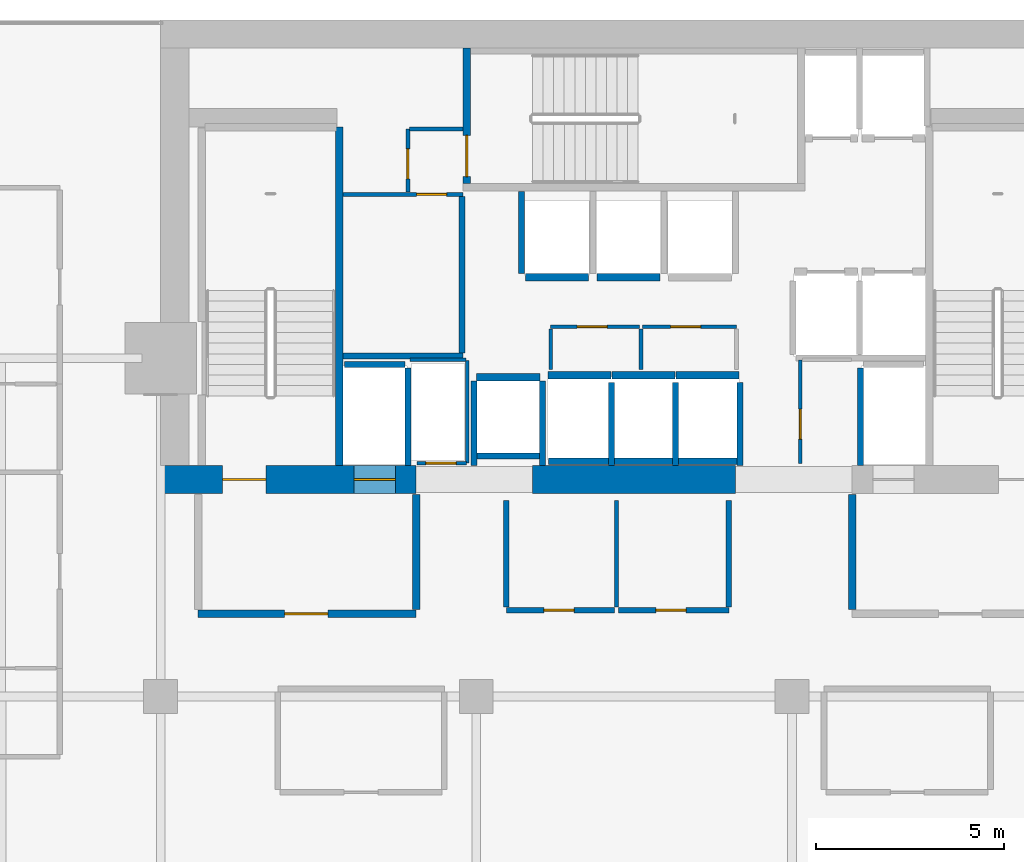
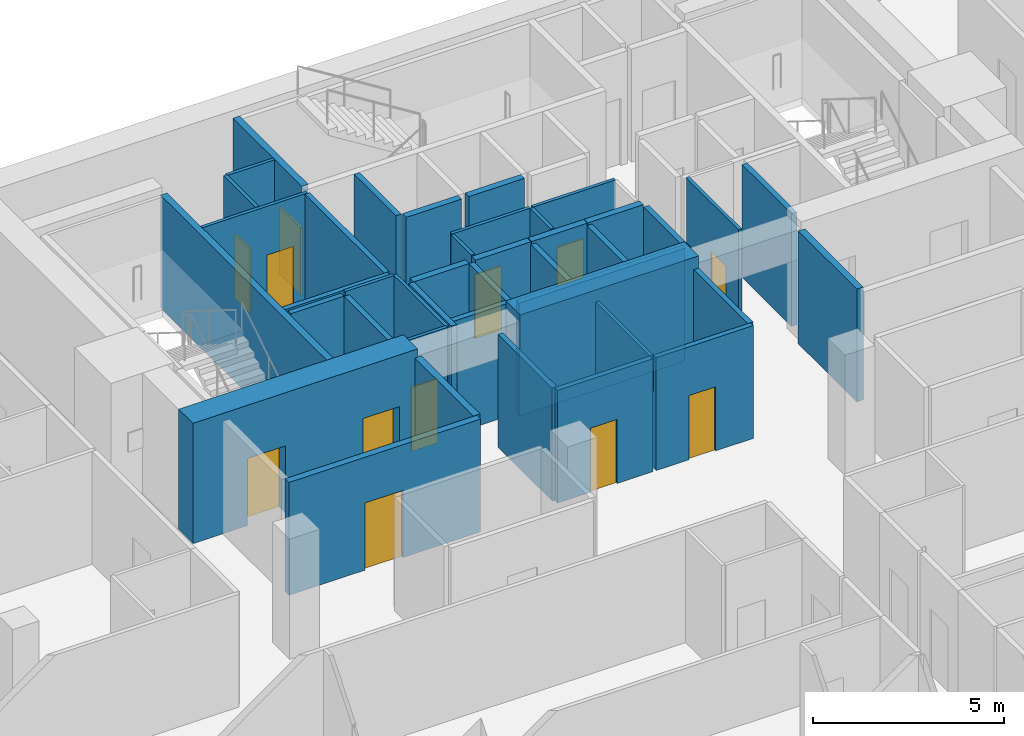
# One storey, part 30 of 34: 42 walls, 12 doors, 12 openings.
"""IFC4 building model written with IfcOpenShell, lengths in metres."""

from ifc_helpers import new_model, si_unit, direction, frame, frame_2d, origin, place, context, subcontext, project, spatial, rectangle, extrude, material, layer, layer_set, type_object, element, fill, save


model = new_model("IFC4")

# Units and contexts
model_context = context("Model", 3, precision=1e-05, world=origin(), true_north=direction((0.0, 1.0)))
body_context = subcontext(model_context, "Body", "Model", "MODEL_VIEW")
ifc_project = project(units=[si_unit("LENGTHUNIT", "METRE"), si_unit("AREAUNIT", "SQUARE_METRE"), si_unit("VOLUMEUNIT", "CUBIC_METRE"), si_unit("PLANEANGLEUNIT", "RADIAN"), si_unit("MASSUNIT", "GRAM", prefix="KILO")], contexts=[model_context])

# Site, building, storey
site_placement = place(None, origin())
site = spatial("IfcSite", under=ifc_project, at=site_placement, CompositionType="ELEMENT")
building_placement = place(site_placement, origin())
building = spatial("IfcBuilding", under=site, at=building_placement, Name="Maruvema Waterfront Hotel and Observation Tower", CompositionType="ELEMENT")
storey_placement = place(building_placement, frame((0.0, 0.0, 135.10009765625)))
storey = spatial("IfcBuildingStorey", under=building, at=storey_placement, Name="L32", CompositionType="ELEMENT", Elevation=135.10009765625)

# Walls
ifc_material_1 = material(Name="Twin-stud acoustic gypsum drywall", Category="gypsum")
ifc_layer_1 = layer(ifc_material_1, 0.14990234375, Name="Acoustic Corridor and Suite Demising Wall 150 mm")
ifc_layer_set_1 = layer_set([ifc_layer_1], Name="Twin-stud acoustic gypsum drywall")
wall_type_1 = type_object("IfcWallType", Name="Acoustic Corridor and Suite Demising Wall 150 mm", PredefinedType="PARTITIONING", material=ifc_layer_set_1)
wall_1_placement = place(storey_placement, frame((30.06005859375, 45.06005859375, 0.0), z_axis=(0.0, 0.0, 1.0), x_axis=(1.0, 0.0, 0.0)))
element("IfcWall", 1, at=wall_1_placement, inside=storey, type_object=wall_type_1, Name="L32 Freed B1 South Wall 017", PredefinedType="PARTITIONING", context=body_context, shape_type="SweptSolid", body=[
    extrude(rectangle(XDim=3.179931640625, YDim=0.14990234375, at=frame_2d((1.58984375, 0.0))), origin(), (0.0, 0.0, 1.0), 3.60986328125),
])
wall_2_placement = place(storey_placement, frame((33.219970703125, 45.139892578125, 0.0), z_axis=(0.0, 0.0, 1.0), x_axis=(0.0, 1.0, 0.0)))
element("IfcWall", 2, at=wall_2_placement, inside=storey, type_object=wall_type_1, Name="L32 Freed B1 East Wall 018", PredefinedType="PARTITIONING", context=body_context, shape_type="SweptSolid", body=[
    extrude(rectangle(XDim=4.16015625, YDim=0.14990234375, at=frame_2d((2.080078125, 0.0))), origin(), (0.0, 0.0, 1.0), 3.60986328125),
])

# Wall, opening, door
wall_3_placement = place(storey_placement, frame((34.39990234375, 38.300048828125, 0.0), z_axis=(0.0, 0.0, 1.0), x_axis=(1.0, 0.0, 0.0)))
wall_3 = element("IfcWall", 3, at=wall_3_placement, inside=storey, type_object=wall_type_1, Name="L32 Core Apron K2A South 022", PredefinedType="PARTITIONING", context=body_context, shape_type="SweptSolid", body=[
    extrude(rectangle(XDim=2.880126953125, YDim=0.14990234375, at=frame_2d((1.43994140625, 0.0))), origin(), (0.0, 0.0, 1.0), 3.60986328125),
])
opening_1_placement = place(wall_3_placement, frame((1.0, 0.0, 0.0)))
opening_1 = element("IfcOpeningElement", 4, at=opening_1_placement, cuts=wall_3, Name="Opening DR-080", PredefinedType="OPENING", context=body_context, shape_type="SweptSolid", body=[
    extrude(rectangle(XDim=0.800048828125, YDim=2.050048828125, at=frame_2d((0.39990234375, 1.02490234375))), frame((0.0, 0.0849609375, 0.0), z_axis=(0.0, -1.0, 0.0), x_axis=(1.0, 0.0, 0.0)), (0.0, 0.0, 1.0), 0.169921875),
])
ifc_material_2 = material(Name="Powder-coated steel access leaf", Category="steel")
door_type_1 = type_object("IfcDoorType", Name="Riser and Service Cupboard Door 800x2050 mm", OperationType="NOTDEFINED", PredefinedType="DOOR", material=ifc_material_2)
door_1_placement = place(opening_1_placement, frame((0.800048828125, 0.0, 0.0), z_axis=(0.0, 0.0, 1.0), x_axis=(-1.0, 0.0, 0.0)))
door_1 = element("IfcDoor", 5, at=door_1_placement, inside=storey, type_object=door_type_1, Name="L32 Core Ice Alcove Door", OperationType="SINGLE_SWING_LEFT", OverallHeight=2.050048828125, OverallWidth=0.800048828125, PredefinedType="DOOR", context=body_context, shape_type="SweptSolid", body=[
    extrude(rectangle(XDim=0.800048828125, YDim=2.050048828125, at=frame_2d((0.39990234375, 1.02490234375))), frame((0.0, 0.02490234375, 0.0), z_axis=(0.0, -1.0, 0.0), x_axis=(1.0, 0.0, 0.0)), (0.0, 0.0, 1.0), 0.050048828125),
])
fill(opening_1, door_1)

wall_4_placement = place(storey_placement, frame((37.3798828125, 38.300048828125, 0.0), z_axis=(0.0, 0.0, 1.0), x_axis=(1.0, 0.0, 0.0)))
wall_4 = element("IfcWall", 6, at=wall_4_placement, inside=storey, type_object=wall_type_1, Name="L32 Core Apron K2B South 023", PredefinedType="PARTITIONING", context=body_context, shape_type="SweptSolid", body=[
    extrude(rectangle(XDim=2.940185546875, YDim=0.14990234375, at=frame_2d((1.47021484375, 0.0))), origin(), (0.0, 0.0, 1.0), 3.60986328125),
])
opening_2_placement = place(wall_4_placement, frame((1.0, 0.0, 0.0)))
opening_2 = element("IfcOpeningElement", 7, at=opening_2_placement, cuts=wall_4, Name="Opening DR-080", PredefinedType="OPENING", context=body_context, shape_type="SweptSolid", body=[
    extrude(rectangle(XDim=0.800048828125, YDim=2.050048828125, at=frame_2d((0.39990234375, 1.02490234375))), frame((0.0, 0.0849609375, 0.0), z_axis=(0.0, -1.0, 0.0), x_axis=(1.0, 0.0, 0.0)), (0.0, 0.0, 1.0), 0.169921875),
])
door_2_placement = place(opening_2_placement, frame((0.800048828125, 0.0, 0.0), z_axis=(0.0, 0.0, 1.0), x_axis=(-1.0, 0.0, 0.0)))
door_2 = element("IfcDoor", 8, at=door_2_placement, inside=storey, type_object=door_type_1, Name="L32 Core Valet Closet Door", OperationType="SINGLE_SWING_RIGHT", OverallHeight=2.050048828125, OverallWidth=0.800048828125, PredefinedType="DOOR", context=body_context, shape_type="SweptSolid", body=[
    extrude(rectangle(XDim=0.800048828125, YDim=2.050048828125, at=frame_2d((0.39990234375, 1.02490234375))), frame((0.0, 0.02490234375, 0.0), z_axis=(0.0, -1.0, 0.0), x_axis=(1.0, 0.0, 0.0)), (0.0, 0.0, 1.0), 0.050048828125),
])
fill(opening_2, door_2)

# Walls
for number, where, z_axis, x_axis, name in (
    (9, (34.39990234375, 38.3798828125, 0.0), (0.0, 0.0, 1.0), (0.0, 1.0, 0.0), "L32 Core Apron K2 West 024"),
    (10, (40.320068359375, 38.3798828125, 0.0), (0.0, 0.0, 1.0), (0.0, 1.0, 0.0), "L32 Core Apron K2 East 026"),
):
    element("IfcWall", number, at=place(storey_placement, frame(where, z_axis=z_axis, x_axis=x_axis)), inside=storey, type_object=wall_type_1, Name=name, PredefinedType="PARTITIONING", context=body_context, shape_type="SweptSolid", body=[
        extrude(rectangle(XDim=2.840087890625, YDim=0.14990234375, at=frame_2d((1.419921875, 0.0))), origin(), (0.0, 0.0, 1.0), 3.60986328125),
    ])
ifc_material_3 = material(Name="Precast concrete C45/55", Category="concrete")
ifc_layer_2 = layer(ifc_material_3, 0.199951171875, Name="Core Shaft and Stairwell Enclosure Wall 200 mm")
ifc_layer_set_2 = layer_set([ifc_layer_2], Name="Precast concrete C45/55")
wall_type_2 = type_object("IfcWallType", Name="Core Shaft and Stairwell Enclosure Wall 200 mm", PredefinedType="SOLIDWALL", material=ifc_layer_set_2)
wall_5_placement = place(storey_placement, frame((29.949951171875, 42.14990234375, 0.0), z_axis=(0.0, 0.0, 1.0), x_axis=(0.0, 1.0, 0.0)))
element("IfcWall", 11, at=wall_5_placement, inside=storey, type_object=wall_type_2, Name="L32 Stairwell ST-01 East Shaft Wall", PredefinedType="SOLIDWALL", context=body_context, shape_type="SweptSolid", body=[
    extrude(rectangle(XDim=9.0, YDim=0.199951171875, at=frame_2d((4.5, 0.0))), origin(), (0.0, 0.0, 1.0), 3.60986328125),
])

# Wall, opening, door
wall_6_placement = place(storey_placement, frame((33.35009765625, 49.64990234375, 0.0), z_axis=(0.0, 0.0, 1.0), x_axis=(0.0, 1.0, 0.0)))
wall_6 = element("IfcWall", 12, at=wall_6_placement, inside=storey, type_object=wall_type_2, Name="L32 Stairwell ST-02 Shaft Wall", PredefinedType="SOLIDWALL", context=body_context, shape_type="SweptSolid", body=[
    extrude(rectangle(XDim=3.60009765625, YDim=0.199951171875, at=frame_2d((1.800048828125, 0.0))), origin(), (0.0, 0.0, 1.0), 3.60986328125),
])
opening_3_placement = place(wall_6_placement, frame((0.179931640625, 0.0, 0.0)))
opening_3 = element("IfcOpeningElement", 13, at=opening_3_placement, cuts=wall_6, Name="Opening SD-02", PredefinedType="OPENING", context=body_context, shape_type="SweptSolid", body=[
    extrude(rectangle(XDim=1.10009765625, YDim=2.14990234375, at=frame_2d((0.550048828125, 1.074951171875))), frame((0.0, 0.10986328125, 0.0), z_axis=(0.0, -1.0, 0.0), x_axis=(1.0, 0.0, 0.0)), (0.0, 0.0, 1.0), 0.219970703125),
])
ifc_material_4 = material(Name="Fire-rated galvanised steel leaf", Category="steel")
door_type_2 = type_object("IfcDoorType", Name="Central Exit Stair Fire Door 1100x2150 mm", OperationType="NOTDEFINED", PredefinedType="DOOR", material=ifc_material_4)
door_3_placement = place(opening_3_placement, frame((1.10009765625, 0.0, 0.0), z_axis=(0.0, 0.0, 1.0), x_axis=(-1.0, 0.0, 0.0)))
door_3 = element("IfcDoor", 14, at=door_3_placement, inside=storey, type_object=door_type_2, Name="L32 Exit Stair ST-02 Fire Door", OperationType="SINGLE_SWING_LEFT", OverallHeight=2.14990234375, OverallWidth=1.10009765625, PredefinedType="DOOR", context=body_context, shape_type="SweptSolid", body=[
    extrude(rectangle(XDim=1.10009765625, YDim=2.14990234375, at=frame_2d((0.550048828125, 1.074951171875))), frame((0.0, 0.02490234375, 0.0), z_axis=(0.0, -1.0, 0.0), x_axis=(1.0, 0.0, 0.0)), (0.0, 0.0, 1.0), 0.050048828125),
])
fill(opening_3, door_3)

# Walls
for number, where, z_axis, x_axis, name in (
    (15, (35.510009765625, 44.550048828125, 0.0), (0.0, 0.0, 1.0), (1.0, 0.0, 0.0), "L32 Lift LF-09 Hoistway Front Wall"),
    (16, (37.2099609375, 44.550048828125, 0.0), (0.0, 0.0, 1.0), (1.0, 0.0, 0.0), "L32 Lift LF-10 Hoistway Front Wall"),
):
    element("IfcWall", number, at=place(storey_placement, frame(where, z_axis=z_axis, x_axis=x_axis)), inside=storey, type_object=wall_type_2, Name=name, PredefinedType="SOLIDWALL", context=body_context, shape_type="SweptSolid", body=[
        extrude(rectangle(XDim=1.679931640625, YDim=0.199951171875, at=frame_2d((0.83984375, 0.0))), origin(), (0.0, 0.0, 1.0), 3.60986328125),
    ])
for number, where, z_axis, x_axis, name in (
    (17, (38.909912109375, 44.550048828125, 0.0), (0.0, 0.0, 1.0), (1.0, 0.0, 0.0), "L32 Lift LF-11 Hoistway Front Wall"),
    (18, (34.909912109375, 47.14990234375, 0.0), (0.0, 0.0, 1.0), (1.0, 0.0, 0.0), "L32 Lift LF-12 Hoistway Front Wall"),
):
    element("IfcWall", number, at=place(storey_placement, frame(where, z_axis=z_axis, x_axis=x_axis)), inside=storey, type_object=wall_type_2, Name=name, PredefinedType="SOLIDWALL", context=body_context, shape_type="SweptSolid", body=[
        extrude(rectangle(XDim=1.68017578125, YDim=0.199951171875, at=frame_2d((0.840087890625, 0.0))), origin(), (0.0, 0.0, 1.0), 3.60986328125),
    ])
for number, where, z_axis, x_axis, name in (
    (19, (36.81005859375, 47.14990234375, 0.0), (0.0, 0.0, 1.0), (1.0, 0.0, 0.0), "L32 Lift LF-13 Hoistway Front Wall"),
    (20, (33.610107421875, 44.5, 0.0), (0.0, 0.0, 1.0), (1.0, 0.0, 0.0), "L32 Lift LF-15 Hoistway Front Wall"),
):
    element("IfcWall", number, at=place(storey_placement, frame(where, z_axis=z_axis, x_axis=x_axis)), inside=storey, type_object=wall_type_2, Name=name, PredefinedType="SOLIDWALL", context=body_context, shape_type="SweptSolid", body=[
        extrude(rectangle(XDim=1.679931640625, YDim=0.199951171875, at=frame_2d((0.83984375, 0.0))), origin(), (0.0, 0.0, 1.0), 3.60986328125),
    ])

# Wall, openings, doors
ifc_material_5 = material(Name="Concrete C70/85", Category="concrete")
ifc_layer_3 = layer(ifc_material_5, 0.75, Name="Core Shear Wall 750 mm")
ifc_layer_set_3 = layer_set([ifc_layer_3], Name="Concrete C70/85")
wall_type_3 = type_object("IfcWallType", Name="Core Shear Wall 750 mm", PredefinedType="SHEAR", material=ifc_layer_set_3)
wall_7_placement = place(storey_placement, frame((25.199951171875, 41.77490234375, 0.0), z_axis=(0.0, 0.0, 1.0), x_axis=(1.0, 0.0, 0.0)))
wall_7 = element("IfcWall", 21, at=wall_7_placement, inside=storey, type_object=wall_type_3, Name="L32 South-West Core Shear Wall", PredefinedType="SHEAR", context=body_context, shape_type="SweptSolid", body=[
    extrude(rectangle(XDim=6.800048828125, YDim=0.75, at=frame_2d((3.39990234375, 0.0))), origin(), (0.0, 0.0, 1.0), 3.849853515625),
])
opening_4_placement = place(wall_7_placement, frame((1.64990234375, 0.0, 0.0)))
opening_4 = element("IfcOpeningElement", 22, at=opening_4_placement, cuts=wall_7, Name="Opening SD-01", PredefinedType="OPENING", context=body_context, shape_type="SweptSolid", body=[
    extrude(rectangle(XDim=1.14990234375, YDim=2.14990234375, at=frame_2d((0.574951171875, 1.074951171875))), frame((0.0, 0.385009765625, 0.0), z_axis=(0.0, -1.0, 0.0), x_axis=(1.0, 0.0, 0.0)), (0.0, 0.0, 1.0), 0.77001953125),
])
opening_5_placement = place(wall_7_placement, frame((5.14990234375, 0.0, 0.0)))
opening_5 = element("IfcOpeningElement", 23, at=opening_5_placement, cuts=wall_7, Name="Opening LD-03", PredefinedType="OPENING", context=body_context, shape_type="SweptSolid", body=[
    extrude(rectangle(XDim=1.10009765625, YDim=2.199951171875, at=frame_2d((0.550048828125, 1.10009765625))), frame((0.0, 0.385009765625, 0.0), z_axis=(0.0, -1.0, 0.0), x_axis=(1.0, 0.0, 0.0)), (0.0, 0.0, 1.0), 0.77001953125),
])
ifc_material_6 = material(Name="Fire-rated galvanised steel leaf", Category="steel")
door_type_3 = type_object("IfcDoorType", Name="Exit Stair Fire Door 1150x2150 mm", OperationType="NOTDEFINED", PredefinedType="DOOR", material=ifc_material_6)
door_4_placement = place(opening_4_placement, origin())
door_4 = element("IfcDoor", 24, at=door_4_placement, inside=storey, type_object=door_type_3, Name="L32 Exit Stair ST-01 Fire Door", OperationType="SINGLE_SWING_LEFT", OverallHeight=2.14990234375, OverallWidth=1.14990234375, PredefinedType="DOOR", context=body_context, shape_type="SweptSolid", body=[
    extrude(rectangle(XDim=1.14990234375, YDim=2.14990234375, at=frame_2d((0.574951171875, 1.074951171875))), frame((0.0, 0.02490234375, 0.0), z_axis=(0.0, -1.0, 0.0), x_axis=(1.0, 0.0, 0.0)), (0.0, 0.0, 1.0), 0.050048828125),
])
fill(opening_4, door_4)
ifc_material_7 = material(Name="Brushed stainless steel Grade 316", Category="steel")
door_type_4 = type_object("IfcDoorType", Name="Firefighting Lift Sliding Landing Door 1100x2200 mm", OperationType="SLIDING_TO_LEFT", PredefinedType="DOOR", material=ifc_material_7)
door_5_placement = place(opening_5_placement, frame((1.10009765625, 0.0, 0.0), z_axis=(0.0, 0.0, 1.0), x_axis=(-1.0, 0.0, 0.0)))
door_5 = element("IfcDoor", 25, at=door_5_placement, inside=storey, type_object=door_type_4, Name="L32 Firefighting Lift FL-01 Landing Door", OperationType="SLIDING_TO_LEFT", OverallHeight=2.199951171875, OverallWidth=1.10009765625, PredefinedType="DOOR", context=body_context, shape_type="SweptSolid", body=[
    extrude(rectangle(XDim=1.10009765625, YDim=2.199951171875, at=frame_2d((0.550048828125, 1.10009765625))), frame((0.0, 0.02490234375, 0.0), z_axis=(0.0, -1.0, 0.0), x_axis=(1.0, 0.0, 0.0)), (0.0, 0.0, 1.0), 0.050048828125),
])
fill(opening_5, door_5)

# Wall
wall_8_placement = place(storey_placement, frame((35.10009765625, 41.77490234375, 0.0), z_axis=(0.0, 0.0, 1.0), x_axis=(1.0, 0.0, 0.0)))
element("IfcWall", 26, at=wall_8_placement, inside=storey, type_object=wall_type_3, Name="L32 South-Central Core Shear Wall", PredefinedType="SHEAR", context=body_context, shape_type="SweptSolid", body=[
    extrude(rectangle(XDim=5.39990234375, YDim=0.75, at=frame_2d((2.699951171875, 0.0))), origin(), (0.0, 0.0, 1.0), 3.849853515625),
])

# Wall, opening, door
ifc_material_8 = material(Name="Moisture-resistant cement-board drywall", Category="gypsum")
ifc_layer_4 = layer(ifc_material_8, 0.10009765625, Name="En-Suite Moisture-Resistant Partition 100 mm")
ifc_layer_set_4 = layer_set([ifc_layer_4], Name="Moisture-resistant cement-board drywall")
wall_type_4 = type_object("IfcWallType", Name="En-Suite Moisture-Resistant Partition 100 mm", PredefinedType="PARTITIONING", material=ifc_layer_set_4)
wall_9_placement = place(storey_placement, frame((32.02001953125, 42.2099609375, 0.0), z_axis=(0.0, 0.0, 1.0), x_axis=(1.0, 0.0, 0.0)))
wall_9 = element("IfcWall", 27, at=wall_9_placement, inside=storey, type_object=wall_type_4, Name="L32 Telecom Riser South Wall 007", PredefinedType="PARTITIONING", context=body_context, shape_type="SweptSolid", body=[
    extrude(rectangle(XDim=1.320068359375, YDim=0.10009765625, at=frame_2d((0.66015625, 0.0))), origin(), (0.0, 0.0, 1.0), 3.60986328125),
])
opening_6_placement = place(wall_9_placement, frame((0.239990234375, 0.0, 0.0)))
opening_6 = element("IfcOpeningElement", 28, at=opening_6_placement, cuts=wall_9, Name="Opening DR-080", PredefinedType="OPENING", context=body_context, shape_type="SweptSolid", body=[
    extrude(rectangle(XDim=0.800048828125, YDim=2.050048828125, at=frame_2d((0.39990234375, 1.02490234375))), frame((0.0, 0.06005859375, 0.0), z_axis=(0.0, -1.0, 0.0), x_axis=(1.0, 0.0, 0.0)), (0.0, 0.0, 1.0), 0.1201171875),
])
door_6_placement = place(opening_6_placement, frame((0.800048828125, 0.0, 0.0), z_axis=(0.0, 0.0, 1.0), x_axis=(-1.0, 0.0, 0.0)))
door_6 = element("IfcDoor", 29, at=door_6_placement, inside=storey, type_object=door_type_1, Name="L32 Telecom Riser Door", OperationType="SINGLE_SWING_LEFT", OverallHeight=2.050048828125, OverallWidth=0.800048828125, PredefinedType="DOOR", context=body_context, shape_type="SweptSolid", body=[
    extrude(rectangle(XDim=0.800048828125, YDim=2.050048828125, at=frame_2d((0.39990234375, 1.02490234375))), frame((0.0, 0.02490234375, 0.0), z_axis=(0.0, -1.0, 0.0), x_axis=(1.0, 0.0, 0.0)), (0.0, 0.0, 1.0), 0.050048828125),
])
fill(opening_6, door_6)

# Walls
wall_10_placement = place(storey_placement, frame((31.840087890625, 44.9599609375, 0.0), z_axis=(0.0, 0.0, 1.0), x_axis=(1.0, 0.0, 0.0)))
element("IfcWall", 30, at=wall_10_placement, inside=storey, type_object=wall_type_4, Name="L32 Telecom Riser North Wall 008", PredefinedType="PARTITIONING", context=body_context, shape_type="SweptSolid", body=[
    extrude(rectangle(XDim=1.47998046875, YDim=0.10009765625, at=frame_2d((0.739990234375, 0.0))), origin(), (0.0, 0.0, 1.0), 3.60986328125),
])
wall_11_placement = place(storey_placement, frame((33.360107421875, 42.2099609375, 0.0), z_axis=(0.0, 0.0, 1.0), x_axis=(0.0, 1.0, 0.0)))
element("IfcWall", 31, at=wall_11_placement, inside=storey, type_object=wall_type_4, Name="L32 Telecom Riser East Wall 009", PredefinedType="PARTITIONING", context=body_context, shape_type="SweptSolid", body=[
    extrude(rectangle(XDim=2.72998046875, YDim=0.10009765625, at=frame_2d((1.364990234375, 0.0))), origin(), (0.0, 0.0, 1.0), 3.60986328125),
])

# Wall, opening, door
wall_12_placement = place(storey_placement, frame((35.580078125, 45.840087890625, 0.0), z_axis=(0.0, 0.0, 1.0), x_axis=(1.0, 0.0, 0.0)))
wall_12 = element("IfcWall", 32, at=wall_12_placement, inside=storey, type_object=wall_type_4, Name="L32 Core Closet K2A North 010", PredefinedType="PARTITIONING", context=body_context, shape_type="SweptSolid", body=[
    extrude(rectangle(XDim=2.35986328125, YDim=0.10009765625, at=frame_2d((1.179931640625, 0.0))), origin(), (0.0, 0.0, 1.0), 3.60986328125),
])
opening_7_placement = place(wall_12_placement, frame((0.699951171875, 0.0, 0.0)))
opening_7 = element("IfcOpeningElement", 33, at=opening_7_placement, cuts=wall_12, Name="Opening DR-080", PredefinedType="OPENING", context=body_context, shape_type="SweptSolid", body=[
    extrude(rectangle(XDim=0.800048828125, YDim=2.050048828125, at=frame_2d((0.39990234375, 1.02490234375))), frame((0.0, 0.06005859375, 0.0), z_axis=(0.0, -1.0, 0.0), x_axis=(1.0, 0.0, 0.0)), (0.0, 0.0, 1.0), 0.1201171875),
])
door_7_placement = place(opening_7_placement, origin())
door_7 = element("IfcDoor", 34, at=door_7_placement, inside=storey, type_object=door_type_1, Name="L32 Core IT Closet Door", OperationType="SINGLE_SWING_RIGHT", OverallHeight=2.050048828125, OverallWidth=0.800048828125, PredefinedType="DOOR", context=body_context, shape_type="SweptSolid", body=[
    extrude(rectangle(XDim=0.800048828125, YDim=2.050048828125, at=frame_2d((0.39990234375, 1.02490234375))), frame((0.0, 0.02490234375, 0.0), z_axis=(0.0, -1.0, 0.0), x_axis=(1.0, 0.0, 0.0)), (0.0, 0.0, 1.0), 0.050048828125),
])
fill(opening_7, door_7)

wall_13_placement = place(storey_placement, frame((38.02001953125, 45.840087890625, 0.0), z_axis=(0.0, 0.0, 1.0), x_axis=(1.0, 0.0, 0.0)))
wall_13 = element("IfcWall", 35, at=wall_13_placement, inside=storey, type_object=wall_type_4, Name="L32 Core Closet K2B North 011", PredefinedType="PARTITIONING", context=body_context, shape_type="SweptSolid", body=[
    extrude(rectangle(XDim=2.5, YDim=0.10009765625, at=frame_2d((1.25, 0.0))), origin(), (0.0, 0.0, 1.0), 3.60986328125),
])
opening_8_placement = place(wall_13_placement, frame((0.75, 0.0, 0.0)))
opening_8 = element("IfcOpeningElement", 36, at=opening_8_placement, cuts=wall_13, Name="Opening DR-080", PredefinedType="OPENING", context=body_context, shape_type="SweptSolid", body=[
    extrude(rectangle(XDim=0.800048828125, YDim=2.050048828125, at=frame_2d((0.39990234375, 1.02490234375))), frame((0.0, 0.06005859375, 0.0), z_axis=(0.0, -1.0, 0.0), x_axis=(1.0, 0.0, 0.0)), (0.0, 0.0, 1.0), 0.1201171875),
])
door_8_placement = place(opening_8_placement, origin())
door_8 = element("IfcDoor", 37, at=door_8_placement, inside=storey, type_object=door_type_1, Name="L32 Core Linen Cupboard Door", OperationType="SINGLE_SWING_LEFT", OverallHeight=2.050048828125, OverallWidth=0.800048828125, PredefinedType="DOOR", context=body_context, shape_type="SweptSolid", body=[
    extrude(rectangle(XDim=0.800048828125, YDim=2.050048828125, at=frame_2d((0.39990234375, 1.02490234375))), frame((0.0, 0.02490234375, 0.0), z_axis=(0.0, -1.0, 0.0), x_axis=(1.0, 0.0, 0.0)), (0.0, 0.0, 1.0), 0.050048828125),
])
fill(opening_8, door_8)

# Walls
for number, where, z_axis, x_axis, name in (
    (38, (35.580078125, 44.699951171875, 0.0), (0.0, 0.0, 1.0), (0.0, 1.0, 0.0), "L32 Core Closet K2 West 012"),
    (39, (37.97998046875, 44.699951171875, 0.0), (0.0, 0.0, 1.0), (0.0, 1.0, 0.0), "L32 Core Closet K2 Mid 013"),
):
    element("IfcWall", number, at=place(storey_placement, frame(where, z_axis=z_axis, x_axis=x_axis)), inside=storey, type_object=wall_type_4, Name=name, PredefinedType="PARTITIONING", context=body_context, shape_type="SweptSolid", body=[
        extrude(rectangle(XDim=1.080078125, YDim=0.10009765625, at=frame_2d((0.5400390625, 0.0))), origin(), (0.0, 0.0, 1.0), 3.60986328125),
    ])

# Wall, opening, door
wall_14_placement = place(storey_placement, frame((42.219970703125, 42.199951171875, 0.0), z_axis=(0.0, 0.0, 1.0), x_axis=(0.0, 1.0, 0.0)))
wall_14 = element("IfcWall", 40, at=wall_14_placement, inside=storey, type_object=wall_type_4, Name="L32 Core Closet K2C West 015", PredefinedType="PARTITIONING", context=body_context, shape_type="SweptSolid", body=[
    extrude(rectangle(XDim=2.760009765625, YDim=0.10009765625, at=frame_2d((1.3798828125, 0.0))), origin(), (0.0, 0.0, 1.0), 3.60986328125),
])
opening_9_placement = place(wall_14_placement, frame((0.64990234375, 0.0, 0.0)))
opening_9 = element("IfcOpeningElement", 41, at=opening_9_placement, cuts=wall_14, Name="Opening DR-080", PredefinedType="OPENING", context=body_context, shape_type="SweptSolid", body=[
    extrude(rectangle(XDim=0.800048828125, YDim=2.050048828125, at=frame_2d((0.39990234375, 1.02490234375))), frame((0.0, 0.06005859375, 0.0), z_axis=(0.0, -1.0, 0.0), x_axis=(1.0, 0.0, 0.0)), (0.0, 0.0, 1.0), 0.1201171875),
])
door_9_placement = place(opening_9_placement, frame((0.800048828125, 0.0, 0.0), z_axis=(0.0, 0.0, 1.0), x_axis=(-1.0, 0.0, 0.0)))
door_9 = element("IfcDoor", 42, at=door_9_placement, inside=storey, type_object=door_type_1, Name="L32 Core Housekeeping Closet Door", OperationType="SINGLE_SWING_RIGHT", OverallHeight=2.050048828125, OverallWidth=0.800048828125, PredefinedType="DOOR", context=body_context, shape_type="SweptSolid", body=[
    extrude(rectangle(XDim=0.800048828125, YDim=2.050048828125, at=frame_2d((0.39990234375, 1.02490234375))), frame((0.0, 0.02490234375, 0.0), z_axis=(0.0, -1.0, 0.0), x_axis=(1.0, 0.0, 0.0)), (0.0, 0.0, 1.0), 0.050048828125),
])
fill(opening_9, door_9)

wall_15_placement = place(storey_placement, frame((30.06005859375, 49.360107421875, 0.0), z_axis=(0.0, 0.0, 1.0), x_axis=(1.0, 0.0, 0.0)))
wall_15 = element("IfcWall", 43, at=wall_15_placement, inside=storey, type_object=wall_type_4, Name="L32 Freed B1 Mid Wall 019", PredefinedType="PARTITIONING", context=body_context, shape_type="SweptSolid", body=[
    extrude(rectangle(XDim=3.179931640625, YDim=0.10009765625, at=frame_2d((1.58984375, 0.0))), origin(), (0.0, 0.0, 1.0), 3.60986328125),
])
opening_10_placement = place(wall_15_placement, frame((1.949951171875, 0.0, 0.0)))
opening_10 = element("IfcOpeningElement", 44, at=opening_10_placement, cuts=wall_15, Name="Opening DR-080", PredefinedType="OPENING", context=body_context, shape_type="SweptSolid", body=[
    extrude(rectangle(XDim=0.800048828125, YDim=2.050048828125, at=frame_2d((0.39990234375, 1.02490234375))), frame((0.0, 0.06005859375, 0.0), z_axis=(0.0, -1.0, 0.0), x_axis=(1.0, 0.0, 0.0)), (0.0, 0.0, 1.0), 0.1201171875),
])
door_10_placement = place(opening_10_placement, origin())
door_10 = element("IfcDoor", 45, at=door_10_placement, inside=storey, type_object=door_type_1, Name="L32 Housekeeping and Linen Room Door", OperationType="SINGLE_SWING_LEFT", OverallHeight=2.050048828125, OverallWidth=0.800048828125, PredefinedType="DOOR", context=body_context, shape_type="SweptSolid", body=[
    extrude(rectangle(XDim=0.800048828125, YDim=2.050048828125, at=frame_2d((0.39990234375, 1.02490234375))), frame((0.0, 0.02490234375, 0.0), z_axis=(0.0, -1.0, 0.0), x_axis=(1.0, 0.0, 0.0)), (0.0, 0.0, 1.0), 0.050048828125),
])
fill(opening_10, door_10)

wall_16_placement = place(storey_placement, frame((31.780029296875, 49.419921875, 0.0), z_axis=(0.0, 0.0, 1.0), x_axis=(0.0, 1.0, 0.0)))
wall_16 = element("IfcWall", 46, at=wall_16_placement, inside=storey, type_object=wall_type_4, Name="L32 Freed B1 NW East Wall 020", PredefinedType="PARTITIONING", context=body_context, shape_type="SweptSolid", body=[
    extrude(rectangle(XDim=1.68017578125, YDim=0.10009765625, at=frame_2d((0.840087890625, 0.0))), origin(), (0.0, 0.0, 1.0), 3.60986328125),
])
opening_11_placement = place(wall_16_placement, frame((0.35009765625, 0.0, 0.0)))
opening_11 = element("IfcOpeningElement", 47, at=opening_11_placement, cuts=wall_16, Name="Opening DR-080", PredefinedType="OPENING", context=body_context, shape_type="SweptSolid", body=[
    extrude(rectangle(XDim=0.800048828125, YDim=2.050048828125, at=frame_2d((0.39990234375, 1.02490234375))), frame((0.0, 0.06005859375, 0.0), z_axis=(0.0, -1.0, 0.0), x_axis=(1.0, 0.0, 0.0)), (0.0, 0.0, 1.0), 0.1201171875),
])
door_11_placement = place(opening_11_placement, origin())
door_11 = element("IfcDoor", 48, at=door_11_placement, inside=storey, type_object=door_type_1, Name="L32 Guest Floor Pantry Door", OperationType="SINGLE_SWING_RIGHT", OverallHeight=2.050048828125, OverallWidth=0.800048828125, PredefinedType="DOOR", context=body_context, shape_type="SweptSolid", body=[
    extrude(rectangle(XDim=0.800048828125, YDim=2.050048828125, at=frame_2d((0.39990234375, 1.02490234375))), frame((0.0, 0.02490234375, 0.0), z_axis=(0.0, -1.0, 0.0), x_axis=(1.0, 0.0, 0.0)), (0.0, 0.0, 1.0), 0.050048828125),
])
fill(opening_11, door_11)

# Walls
wall_17_placement = place(storey_placement, frame((31.820068359375, 51.10009765625, 0.0), z_axis=(0.0, 0.0, 1.0), x_axis=(1.0, 0.0, 0.0)))
element("IfcWall", 49, at=wall_17_placement, inside=storey, type_object=wall_type_4, Name="L32 Freed B1 Vestibule North Wall 021", PredefinedType="PARTITIONING", context=body_context, shape_type="SweptSolid", body=[
    extrude(rectangle(XDim=1.419921875, YDim=0.10009765625, at=frame_2d((0.7099609375, 0.0))), origin(), (0.0, 0.0, 1.0), 3.60986328125),
])
wall_18_placement = place(storey_placement, frame((37.330078125, 38.3798828125, 0.0), z_axis=(0.0, 0.0, 1.0), x_axis=(0.0, 1.0, 0.0)))
element("IfcWall", 50, at=wall_18_placement, inside=storey, type_object=wall_type_4, Name="L32 Core Apron K2 Split 025", PredefinedType="PARTITIONING", context=body_context, shape_type="SweptSolid", body=[
    extrude(rectangle(XDim=2.840087890625, YDim=0.10009765625, at=frame_2d((1.419921875, 0.0))), origin(), (0.0, 0.0, 1.0), 3.60986328125),
])

# Wall, opening, door
ifc_material_9 = material(Name="Autoclaved cellular concrete blockwork", Category="masonry")
ifc_layer_5 = layer(ifc_material_9, 0.199951171875, Name="Fire Compartment Masonry Wall 200 mm")
ifc_layer_set_5 = layer_set([ifc_layer_5], Name="Autoclaved cellular concrete blockwork")
wall_type_5 = type_object("IfcWallType", Name="Fire Compartment Masonry Wall 200 mm", PredefinedType="PARTITIONING", material=ifc_layer_set_5)
wall_19_placement = place(storey_placement, frame((26.199951171875, 38.199951171875, 0.0), z_axis=(0.0, 0.0, 1.0), x_axis=(1.0, 0.0, 0.0)))
wall_19 = element("IfcWall", 51, at=wall_19_placement, inside=storey, type_object=wall_type_5, Name="L32 FFL West South Wall 001", PredefinedType="PARTITIONING", context=body_context, shape_type="SweptSolid", body=[
    extrude(rectangle(XDim=5.800048828125, YDim=0.199951171875, at=frame_2d((2.89990234375, 0.0))), origin(), (0.0, 0.0, 1.0), 3.60986328125),
])
opening_12_placement = place(wall_19_placement, frame((2.300048828125, 0.0, 0.0)))
opening_12 = element("IfcOpeningElement", 52, at=opening_12_placement, cuts=wall_19, Name="Opening FD-115", PredefinedType="OPENING", context=body_context, shape_type="SweptSolid", body=[
    extrude(rectangle(XDim=1.14990234375, YDim=2.14990234375, at=frame_2d((0.574951171875, 1.074951171875))), frame((0.0, 0.10986328125, 0.0), z_axis=(0.0, -1.0, 0.0), x_axis=(1.0, 0.0, 0.0)), (0.0, 0.0, 1.0), 0.219970703125),
])
ifc_material_10 = material(Name="Fire-rated galvanised steel and vision glass", Category="steel")
door_type_5 = type_object("IfcDoorType", Name="Firefighting Lobby Fire Door 1150x2150 mm", OperationType="NOTDEFINED", PredefinedType="DOOR", material=ifc_material_10)
door_12_placement = place(opening_12_placement, frame((1.14990234375, 0.0, 0.0), z_axis=(0.0, 0.0, 1.0), x_axis=(-1.0, 0.0, 0.0)))
door_12 = element("IfcDoor", 53, at=door_12_placement, inside=storey, type_object=door_type_5, Name="L32 Firefighting Lobby West Door", OperationType="SINGLE_SWING_LEFT", OverallHeight=2.14990234375, OverallWidth=1.14990234375, PredefinedType="DOOR", context=body_context, shape_type="SweptSolid", body=[
    extrude(rectangle(XDim=1.14990234375, YDim=2.14990234375, at=frame_2d((0.574951171875, 1.074951171875))), frame((0.0, 0.02490234375, 0.0), z_axis=(0.0, -1.0, 0.0), x_axis=(1.0, 0.0, 0.0)), (0.0, 0.0, 1.0), 0.050048828125),
])
fill(opening_12, door_12)

# Walls
for number, where, z_axis, x_axis, name in (
    (54, (32.0, 38.31005859375, 0.0), (0.0, 0.0, 1.0), (0.0, 1.0, 0.0), "L32 FFL West East Wall 003"),
    (55, (43.60009765625, 38.31005859375, 0.0), (0.0, 0.0, 1.0), (0.0, 1.0, 0.0), "L32 FFL East West Wall 005"),
):
    element("IfcWall", number, at=place(storey_placement, frame(where, z_axis=z_axis, x_axis=x_axis)), inside=storey, type_object=wall_type_5, Name=name, PredefinedType="PARTITIONING", context=body_context, shape_type="SweptSolid", body=[
        extrude(rectangle(XDim=3.06982421875, YDim=0.199951171875, at=frame_2d((1.534912109375, 0.0))), origin(), (0.0, 0.0, 1.0), 3.60986328125),
    ])
ifc_material_11 = material(Name="Precast concrete C45/55", Category="concrete")
ifc_layer_6 = layer(ifc_material_11, 0.159912109375, Name="Lift Hoistway Divider Wall 160 mm")
ifc_layer_set_6 = layer_set([ifc_layer_6], Name="Precast concrete C45/55")
wall_type_6 = type_object("IfcWallType", Name="Lift Hoistway Divider Wall 160 mm", PredefinedType="SOLIDWALL", material=ifc_layer_set_6)
wall_20_placement = place(storey_placement, frame((30.10009765625, 44.830078125, 0.0), z_axis=(0.0, 0.0, 1.0), x_axis=(1.0, 0.0, 0.0)))
element("IfcWall", 56, at=wall_20_placement, inside=storey, type_object=wall_type_6, Name="L32 Lift FL-01 Rear Hoistway Wall", PredefinedType="SOLIDWALL", context=body_context, shape_type="SweptSolid", body=[
    extrude(rectangle(XDim=1.599853515625, YDim=0.159912109375, at=frame_2d((0.7998046875, 0.0))), origin(), (0.0, 0.0, 1.0), 3.60986328125),
])
for number, where, z_axis, x_axis, name in (
    (57, (31.780029296875, 42.14990234375, 0.0), (0.0, 0.0, 1.0), (0.0, 1.0, 0.0), "L32 Lift FL-01 Inner Hoistway Wall"),
    (58, (43.820068359375, 42.14990234375, 0.0), (0.0, 0.0, 1.0), (0.0, 1.0, 0.0), "L32 Lift FL-02 Inner Hoistway Wall"),
):
    element("IfcWall", number, at=place(storey_placement, frame(where, z_axis=z_axis, x_axis=x_axis)), inside=storey, type_object=wall_type_6, Name=name, PredefinedType="SOLIDWALL", context=body_context, shape_type="SweptSolid", body=[
        extrude(rectangle(XDim=2.590087890625, YDim=0.159912109375, at=frame_2d((1.294921875, 0.0))), origin(), (0.0, 0.0, 1.0), 3.60986328125),
    ])
for number, where, z_axis, x_axis, name in (
    (59, (37.199951171875, 42.14990234375, 0.0), (0.0, 0.0, 1.0), (0.0, 1.0, 0.0), "L32 Hoistway Divider Wall"),
    (60, (38.89990234375, 42.14990234375, 0.0), (0.0, 0.0, 1.0), (0.0, 1.0, 0.0), "L32 Hoistway Divider Wall"),
    (61, (40.6201171875, 42.14990234375, 0.0), (0.0, 0.0, 1.0), (0.0, 1.0, 0.0), "L32 Hoistway Divider Wall"),
):
    element("IfcWall", number, at=place(storey_placement, frame(where, z_axis=z_axis, x_axis=x_axis)), inside=storey, type_object=wall_type_6, Name=name, PredefinedType="SOLIDWALL", context=body_context, shape_type="SweptSolid", body=[
        extrude(rectangle(XDim=2.2001953125, YDim=0.159912109375, at=frame_2d((1.10009765625, 0.0))), origin(), (0.0, 0.0, 1.0), 3.60986328125),
    ])
wall_21_placement = place(storey_placement, frame((35.52001953125, 42.260009765625, 0.0), z_axis=(0.0, 0.0, 1.0), x_axis=(1.0, 0.0, 0.0)))
element("IfcWall", 62, at=wall_21_placement, inside=storey, type_object=wall_type_6, Name="L32 Hoistway Divider Wall", PredefinedType="SOLIDWALL", context=body_context, shape_type="SweptSolid", body=[
    extrude(rectangle(XDim=5.02001953125, YDim=0.159912109375, at=frame_2d((2.510009765625, 0.0))), origin(), (0.0, 0.0, 1.0), 3.60986328125),
])
wall_22_placement = place(storey_placement, frame((34.800048828125, 47.25, 0.0), z_axis=(0.0, 0.0, 1.0), x_axis=(0.0, 1.0, 0.0)))
element("IfcWall", 63, at=wall_22_placement, inside=storey, type_object=wall_type_6, Name="L32 Hoistway Divider Wall", PredefinedType="SOLIDWALL", context=body_context, shape_type="SweptSolid", body=[
    extrude(rectangle(XDim=2.18994140625, YDim=0.159912109375, at=frame_2d((1.094970703125, 0.0))), origin(), (0.0, 0.0, 1.0), 3.60986328125),
])
for number, where, z_axis, x_axis, name in (
    (64, (33.5400390625, 42.14990234375, 0.0), (0.0, 0.0, 1.0), (0.0, 1.0, 0.0), "L32 Hoistway Divider Wall"),
    (65, (35.360107421875, 42.14990234375, 0.0), (0.0, 0.0, 1.0), (0.0, 1.0, 0.0), "L32 Hoistway Divider Wall"),
):
    element("IfcWall", number, at=place(storey_placement, frame(where, z_axis=z_axis, x_axis=x_axis)), inside=storey, type_object=wall_type_6, Name=name, PredefinedType="SOLIDWALL", context=body_context, shape_type="SweptSolid", body=[
        extrude(rectangle(XDim=2.25, YDim=0.159912109375, at=frame_2d((1.125, 0.0))), origin(), (0.0, 0.0, 1.0), 3.60986328125),
    ])
wall_23_placement = place(storey_placement, frame((33.6201171875, 42.39990234375, 0.0), z_axis=(0.0, 0.0, 1.0), x_axis=(1.0, 0.0, 0.0)))
element("IfcWall", 66, at=wall_23_placement, inside=storey, type_object=wall_type_6, Name="L32 Hoistway Divider Wall", PredefinedType="SOLIDWALL", context=body_context, shape_type="SweptSolid", body=[
    extrude(rectangle(XDim=1.659912109375, YDim=0.159912109375, at=frame_2d((0.830078125, 0.0))), origin(), (0.0, 0.0, 1.0), 3.60986328125),
])

save(model, "model.ifc")
